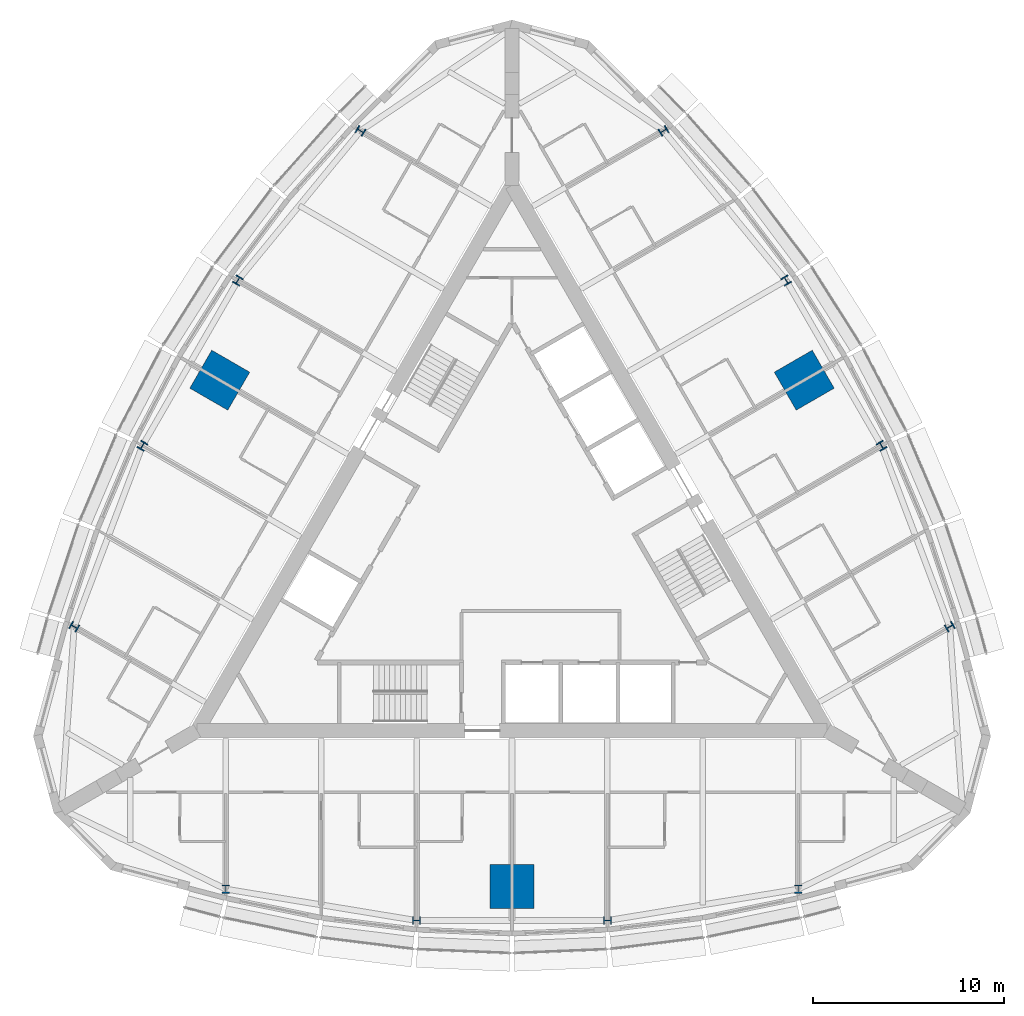
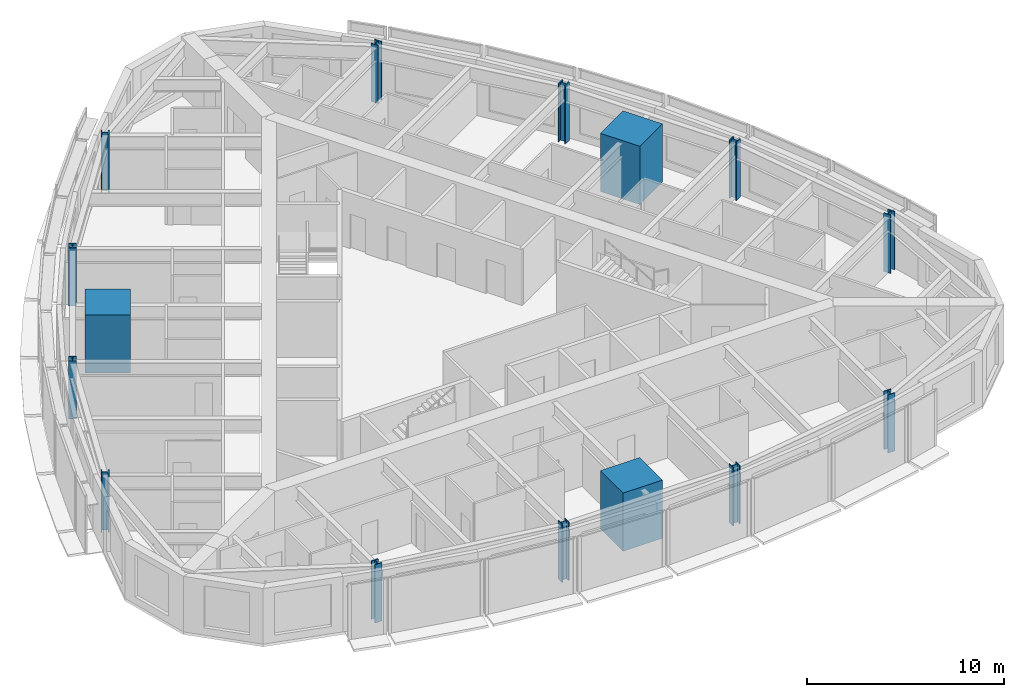
# One storey, part 1 of 15: 15 columns.
"""IFC4 building model written with IfcOpenShell, lengths in metres."""

from ifc_helpers import new_model, si_unit, direction, frame, origin, origin_2d, place, context, subcontext, project, spatial, rectangle, i_section, extrude, material, material_profile, profile_set, type_object, element, save


model = new_model("IFC4")

# Units and contexts
model_context = context("Model", 3, precision=1e-05, world=origin(), true_north=direction((0.0, 1.0)))
body_context = subcontext(model_context, "Body", "Model", "MODEL_VIEW")
ifc_project = project(units=[si_unit("LENGTHUNIT", "METRE"), si_unit("AREAUNIT", "SQUARE_METRE"), si_unit("VOLUMEUNIT", "CUBIC_METRE"), si_unit("PLANEANGLEUNIT", "RADIAN"), si_unit("MASSUNIT", "GRAM", prefix="KILO")], contexts=[model_context])

# Site, building, storey
site_placement = place(None, origin())
site = spatial("IfcSite", under=ifc_project, at=site_placement, CompositionType="ELEMENT")
building_placement = place(site_placement, origin())
building = spatial("IfcBuilding", under=site, at=building_placement, Name="Trikona Tower", CompositionType="ELEMENT")
storey_placement = place(building_placement, frame((0.0, 0.0, 204.5)))
storey = spatial("IfcBuildingStorey", under=building, at=storey_placement, Name="L54", CompositionType="ELEMENT", Elevation=204.5)

# Columns
ifc_material_1 = material(Name="Concrete f'c 10000 psi with encased steel section", Category="concrete")
ifc_material_profile_1 = material_profile(ifc_material_1, rectangle(XDim=2.300048828125, YDim=2.300048828125, at=origin_2d()), Name="MC2300")
ifc_profile_set_1 = profile_set([ifc_material_profile_1], Name="Concrete f'c 10000 psi with encased steel section")
column_type_1 = type_object("IfcColumnType", Name="Composite mega column 2300x2300", PredefinedType="COLUMN", material=ifc_profile_set_1)
for number, where, z_axis, x_axis, name in (
    (1, (0.0, -17.680419921875, 0.0), (0.0, 0.0, 1.0), (0.0, -1.0, 0.0), "Mega column MC1"),
    (2, (15.311767578125, 8.84033203125, 0.0), (0.0, 0.0, 1.0), (0.866025403784, 0.5, 0.0), "Mega column MC2"),
    (3, (-15.311767578125, 8.84033203125, 0.0), (0.0, 0.0, 1.0), (-0.866025403784, 0.5, 0.0), "Mega column MC3"),
):
    element("IfcColumn", number, at=place(storey_placement, frame(where, z_axis=z_axis, x_axis=x_axis)), inside=storey, type_object=column_type_1, Name=name, PredefinedType="COLUMN", context=body_context, shape_type="SweptSolid", body=[
        extrude(rectangle(XDim=2.300048828125, YDim=2.300048828125, at=origin_2d()), origin(), (0.0, 0.0, 1.0), 3.60009765625),
    ])
ifc_material_2 = material(Name="Steel ASTM A992 Grade 50", Category="steel")
ifc_material_profile_2 = material_profile(ifc_material_2, i_section(OverallWidth=0.411376953125, OverallDepth=0.434326171875, WebThickness=0.035888671875, FlangeThickness=0.057373046875, at=origin_2d()), Name="W14X311")
ifc_profile_set_2 = profile_set([ifc_material_profile_2], Name="Steel ASTM A992 Grade 50")
column_type_2 = type_object("IfcColumnType", Name="Steel column W14x311", PredefinedType="COLUMN", material=ifc_profile_set_2)
for number, where, z_axis, x_axis, name in (
    (4, (-15.0, -17.824951171875, 0.0), (0.0, 0.0, 1.0), (1.0, 0.0, 0.0), "Column F0m15"),
    (5, (-5.0, -19.471923828125, 0.0), (0.0, 0.0, 1.0), (0.0, -1.0, 0.0), "Column F0m5"),
    (6, (5.0, -19.471923828125, 0.0), (0.0, 0.0, 1.0), (0.0, -1.0, 0.0), "Column F0p5"),
    (7, (15.0, -17.824951171875, 0.0), (0.0, 0.0, 1.0), (1.0, 0.0, 0.0), "Column F0p15"),
    (8, (22.936767578125, -4.077880859375, 0.0), (0.0, 0.0, 1.0), (-0.5, 0.866025403784, 0.0), "Column F1m15"),
    (9, (19.36328125, 5.406005859375, 0.0), (0.0, 0.0, 1.0), (0.866025403784, 0.5, 0.0), "Column F1m5"),
    (10, (14.36328125, 14.066162109375, 0.0), (0.0, 0.0, 1.0), (0.866025403784, 0.5, 0.0), "Column F1p5"),
    (11, (7.936767578125, 21.90283203125, 0.0), (0.0, 0.0, 1.0), (-0.5, 0.866025403784, 0.0), "Column F1p15"),
    (12, (-7.936767578125, 21.90283203125, 0.0), (0.0, 0.0, 1.0), (-0.5, -0.866025403784, 0.0), "Column F2m15"),
    (13, (-14.36328125, 14.066162109375, 0.0), (0.0, 0.0, 1.0), (-0.866025403784, 0.5, 0.0), "Column F2m5"),
    (14, (-19.36328125, 5.406005859375, 0.0), (0.0, 0.0, 1.0), (-0.866025403784, 0.5, 0.0), "Column F2p5"),
    (15, (-22.936767578125, -4.077880859375, 0.0), (0.0, 0.0, 1.0), (-0.5, -0.866025403784, 0.0), "Column F2p15"),
):
    element("IfcColumn", number, at=place(storey_placement, frame(where, z_axis=z_axis, x_axis=x_axis)), inside=storey, type_object=column_type_2, Name=name, PredefinedType="COLUMN", context=body_context, shape_type="SweptSolid", body=[
        extrude(i_section(OverallWidth=0.411376953125, OverallDepth=0.434326171875, WebThickness=0.035888671875, FlangeThickness=0.057373046875, at=origin_2d()), origin(), (0.0, 0.0, 1.0), 3.60009765625),
    ])

save(model, "model.ifc")
